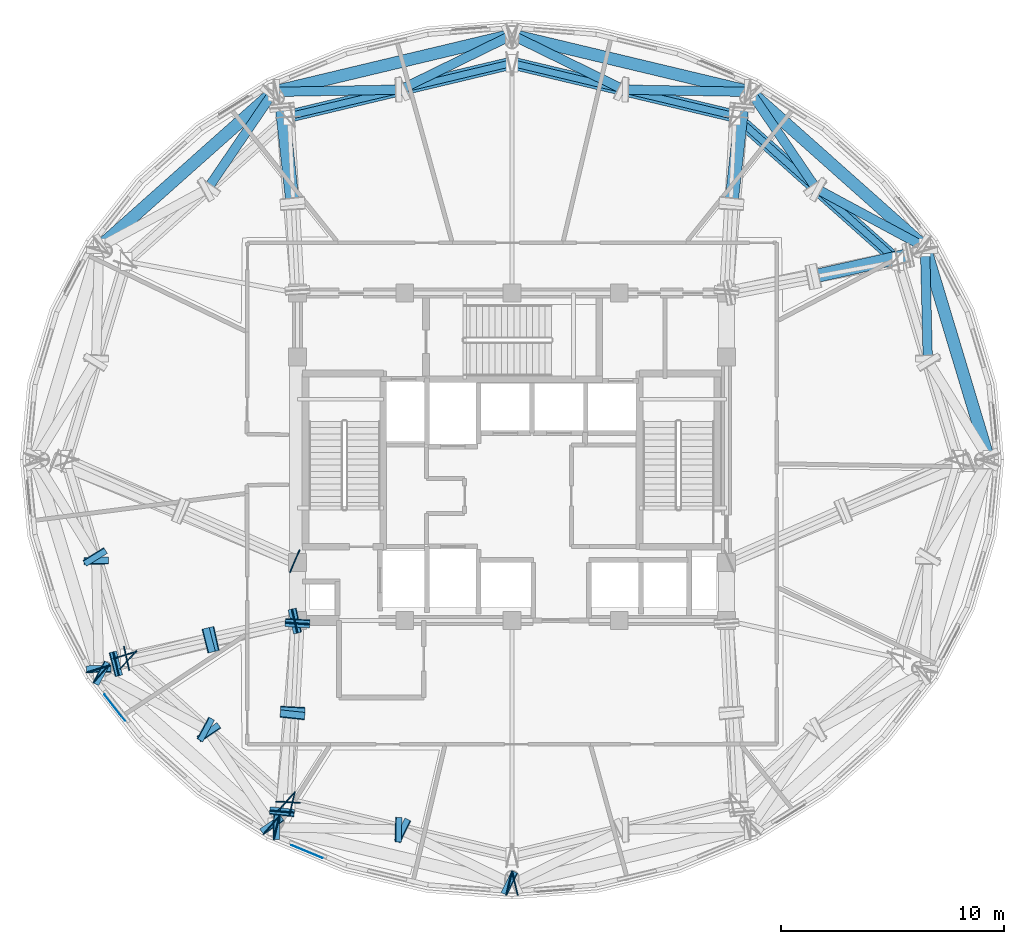
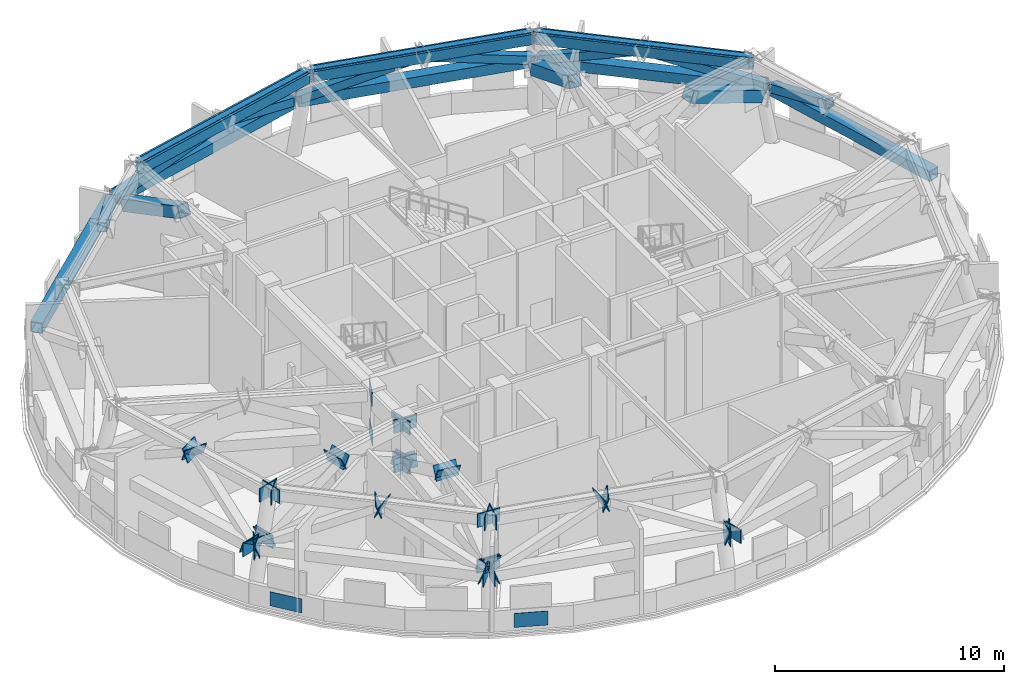
# One storey, part 3 of 13: 41 plates, 19 members, 3 beams.
"""IFC4 building model written with IfcOpenShell, lengths in metres."""

from ifc_helpers import new_model, si_unit, direction, frame, origin, origin_2d, place, context, subcontext, project, spatial, polyline, rectangle, hollow_rectangle, i_section, outline, extrude, material, layer, layer_set, material_profile, profile_set, type_object, element, save


model = new_model("IFC4")

# Units and contexts
model_context = context("Model", 3, precision=1e-05, world=origin(), true_north=direction((0.0, 1.0)))
body_context = subcontext(model_context, "Body", "Model", "MODEL_VIEW")
ifc_project = project(units=[si_unit("LENGTHUNIT", "METRE"), si_unit("AREAUNIT", "SQUARE_METRE"), si_unit("VOLUMEUNIT", "CUBIC_METRE"), si_unit("PLANEANGLEUNIT", "RADIAN"), si_unit("MASSUNIT", "GRAM", prefix="KILO")], contexts=[model_context])

# Site, building, storey
site_placement = place(None, origin())
site = spatial("IfcSite", under=ifc_project, at=site_placement, CompositionType="ELEMENT")
building_placement = place(site_placement, origin())
building = spatial("IfcBuilding", under=site, at=building_placement, Name="Vantalir Tower", CompositionType="ELEMENT")
storey_placement = place(building_placement, frame((0.0, 0.0, 253.64990234375)))
storey = spatial("IfcBuildingStorey", under=building, at=storey_placement, Name="L64", CompositionType="ELEMENT", Elevation=253.64990234375)

# Beams
ifc_material_1 = material(Name="Steel S460", Category="steel")
ifc_material_profile_1 = material_profile(ifc_material_1, i_section(OverallWidth=0.306884765625, OverallDepth=0.6201171875, WebThickness=0.01416015625, FlangeThickness=0.023681640625, at=origin_2d()), Name="Steel S460")
ifc_profile_set_1 = profile_set([ifc_material_profile_1], Name="Steel S460")
beam_type = type_object("IfcBeamType", Name="BM-RG-610x305", PredefinedType="USERDEFINED", material=ifc_profile_set_1)
beam_placement = place(storey_placement, frame((48.777099609375, 33.876953125, 4.91015625), z_axis=(-0.74703437384, 0.664785412221, 0.0), x_axis=(-0.664785412221, -0.74703437384, 0.0)))
element("IfcBeam", 1, at=beam_placement, inside=storey, type_object=beam_type, Name="L64 Circumferential Ring Girder 02", ObjectType="GIRDER", PredefinedType="USERDEFINED", context=body_context, shape_type="SweptSolid", body=[
    extrude(i_section(OverallWidth=0.306884765625, OverallDepth=0.6201171875, WebThickness=0.01416015625, FlangeThickness=0.023681640625, at=origin_2d()), origin(), (0.0, 0.0, 1.0), 9.774658203125),
])
for number, where, z_axis, x_axis, name in (
    (2, (41.47509765625, 40.375, 4.91015625), (-0.972720830492, 0.231978848018, 0.0), (-0.231978848018, -0.972720830492, 0.0), "L64 Circumferential Ring Girder 03"),
    (3, (31.5, 42.75390625, 4.91015625), (-0.972720830492, -0.231978848018, 0.0), (0.231978848018, -0.972720830492, 0.0), "L64 Circumferential Ring Girder 04"),
):
    element("IfcBeam", number, at=place(storey_placement, frame(where, z_axis=z_axis, x_axis=x_axis)), inside=storey, type_object=beam_type, Name=name, ObjectType="GIRDER", PredefinedType="USERDEFINED", context=body_context, shape_type="SweptSolid", body=[
        extrude(i_section(OverallWidth=0.306884765625, OverallDepth=0.6201171875, WebThickness=0.01416015625, FlangeThickness=0.023681640625, at=origin_2d()), origin(), (0.0, 0.0, 1.0), 10.2548828125),
    ])

# Members
ifc_material_profile_2 = material_profile(ifc_material_1, hollow_rectangle(XDim=0.419921875, YDim=0.419921875, WallThickness=0.030029296875, at=origin_2d()), Name="Steel S460")
ifc_profile_set_2 = profile_set([ifc_material_profile_2], Name="Steel S460")
member_type_1 = type_object("IfcMemberType", Name="MEM-BT-420x30", PredefinedType="BRACE", material=ifc_profile_set_2)
member_1_placement = place(storey_placement, frame((49.992919921875, 34.363037109375, 2.877197265625), z_axis=(0.022667120957, -0.923451014536, 0.383046244441), x_axis=(0.999698880551, 0.024538708702, 0.0)))
element("IfcMember", 4, at=member_1_placement, inside=storey, type_object=member_type_1, Name="L64 Belt Truss Web Diagonal 01B", PredefinedType="BRACE", context=body_context, shape_type="SweptSolid", body=[
    extrude(hollow_rectangle(XDim=0.419921875, YDim=0.419921875, WallThickness=0.030029296875, at=origin_2d()), origin(), (0.0, 0.0, 1.0), 5.213134765625),
])
member_2_placement = place(storey_placement, frame((49.866943359375, 34.569091796875, 2.873046875), z_axis=(-0.82272106923, 0.443792525431, 0.355215760654), x_axis=(-0.474753915067, -0.880118582992, 0.0)))
element("IfcMember", 5, at=member_2_placement, inside=storey, type_object=member_type_1, Name="L64 Belt Truss Web Diagonal 02A", PredefinedType="BRACE", context=body_context, shape_type="SweptSolid", body=[
    extrude(hollow_rectangle(XDim=0.419921875, YDim=0.419921875, WallThickness=0.030029296875, at=origin_2d()), origin(), (0.0, 0.0, 1.0), 5.64208984375),
])
member_3_placement = place(storey_placement, frame((42.2529296875, 41.343017578125, 2.8759765625), z_axis=(0.522643114699, -0.767209215114, 0.37179859454), x_axis=(0.826454943854, 0.563002864806, 0.0)))
element("IfcMember", 6, at=member_3_placement, inside=storey, type_object=member_type_1, Name="L64 Belt Truss Web Diagonal 02B", PredefinedType="BRACE", context=body_context, shape_type="SweptSolid", body=[
    extrude(hollow_rectangle(XDim=0.419921875, YDim=0.419921875, WallThickness=0.030029296875, at=origin_2d()), origin(), (0.0, 0.0, 1.0), 5.376708984375),
])
member_4_placement = place(storey_placement, frame((42.033935546875, 41.4609375, 2.8720703125), z_axis=(-0.937966957145, 0.017447019826, 0.346285415234), x_axis=(-0.018597672553, -0.999827048332, 0.0)))
element("IfcMember", 7, at=member_4_placement, inside=storey, type_object=member_type_1, Name="L64 Belt Truss Web Diagonal 03A", PredefinedType="BRACE", context=body_context, shape_type="SweptSolid", body=[
    extrude(hollow_rectangle(XDim=0.419921875, YDim=0.419921875, WallThickness=0.030029296875, at=origin_2d()), origin(), (0.0, 0.0, 1.0), 5.793212890625),
])
for number, where, z_axis, x_axis, name in (
    (8, (31.6259765625, 43.94189453125, 2.873046875), (0.840233678972, -0.410831656274, 0.353871042788), (0.439253922262, 0.898362951027, 0.0), "L64 Belt Truss Web Diagonal 03B"),
    (9, (31.3740234375, 43.94189453125, 2.873046875), (-0.840233678972, -0.410831656274, 0.353871042788), (0.439253922262, -0.898362951027, 0.0), "L64 Belt Truss Web Diagonal 04A"),
):
    element("IfcMember", number, at=place(storey_placement, frame(where, z_axis=z_axis, x_axis=x_axis)), inside=storey, type_object=member_type_1, Name=name, PredefinedType="BRACE", context=body_context, shape_type="SweptSolid", body=[
        extrude(hollow_rectangle(XDim=0.419921875, YDim=0.419921875, WallThickness=0.030029296875, at=origin_2d()), origin(), (0.0, 0.0, 1.0), 5.666259765625),
    ])
member_5_placement = place(storey_placement, frame((20.966064453125, 41.4609375, 2.8720703125), z_axis=(0.937966957145, 0.017447019826, 0.346285415234), x_axis=(-0.018597672553, 0.999827048332, 0.0)))
element("IfcMember", 10, at=member_5_placement, inside=storey, type_object=member_type_1, Name="L64 Belt Truss Web Diagonal 04B", PredefinedType="BRACE", context=body_context, shape_type="SweptSolid", body=[
    extrude(hollow_rectangle(XDim=0.419921875, YDim=0.419921875, WallThickness=0.030029296875, at=origin_2d()), origin(), (0.0, 0.0, 1.0), 5.793212890625),
])
member_6_placement = place(storey_placement, frame((20.7470703125, 41.343017578125, 2.8759765625), z_axis=(-0.522643114699, -0.767209215114, 0.37179859454), x_axis=(0.826454943854, -0.563002864806, 0.0)))
element("IfcMember", 11, at=member_6_placement, inside=storey, type_object=member_type_1, Name="L64 Belt Truss Web Diagonal 05A", PredefinedType="BRACE", context=body_context, shape_type="SweptSolid", body=[
    extrude(hollow_rectangle(XDim=0.419921875, YDim=0.419921875, WallThickness=0.030029296875, at=origin_2d()), origin(), (0.0, 0.0, 1.0), 5.376708984375),
])
ifc_material_profile_3 = material_profile(ifc_material_1, hollow_rectangle(XDim=0.550048828125, YDim=0.550048828125, WallThickness=0.035888671875, at=origin_2d()), Name="Steel S460")
ifc_profile_set_3 = profile_set([ifc_material_profile_3], Name="Steel S460")
member_type_2 = type_object("IfcMemberType", Name="MEM-CH-550x36", PredefinedType="CHORD", material=ifc_profile_set_3)
member_7_placement = place(storey_placement, frame((52.806884765625, 25.14404296875, 2.820068359375), z_axis=(-0.288278839396, 0.957546505793, 0.0), x_axis=(-0.957546505793, -0.288278839396, 0.0)))
element("IfcMember", 12, at=member_7_placement, inside=storey, type_object=member_type_2, Name="L64 Belt Truss Bottom Chord 01", PredefinedType="CHORD", context=body_context, shape_type="SweptSolid", body=[
    extrude(hollow_rectangle(XDim=0.550048828125, YDim=0.550048828125, WallThickness=0.035888671875, at=origin_2d()), origin(), (0.0, 0.0, 1.0), 9.622314453125),
])
member_8_placement = place(storey_placement, frame((49.8779296875, 34.60205078125, 2.820068359375), z_axis=(-0.746995606785, 0.664828973078, 0.0), x_axis=(-0.664828973078, -0.746995606785, 0.0)))
element("IfcMember", 13, at=member_8_placement, inside=storey, type_object=member_type_2, Name="L64 Belt Truss Bottom Chord 02", PredefinedType="CHORD", context=body_context, shape_type="SweptSolid", body=[
    extrude(hollow_rectangle(XDim=0.550048828125, YDim=0.550048828125, WallThickness=0.035888671875, at=origin_2d()), origin(), (0.0, 0.0, 1.0), 10.161865234375),
])
member_9_placement = place(storey_placement, frame((48.6650390625, 33.97705078125, 4.920166015625), z_axis=(-0.747085077711, 0.664728430761, 0.0), x_axis=(-0.664728430761, -0.747085077711, 0.0)))
element("IfcMember", 14, at=member_9_placement, inside=storey, type_object=member_type_2, Name="L64 Belt Truss Top Chord 02", PredefinedType="CHORD", context=body_context, shape_type="SweptSolid", body=[
    extrude(hollow_rectangle(XDim=0.550048828125, YDim=0.550048828125, WallThickness=0.035888671875, at=origin_2d()), origin(), (0.0, 0.0, 1.0), 9.474365234375),
])
member_10_placement = place(storey_placement, frame((42.029052734375, 41.492919921875, 2.820068359375), z_axis=(-0.972723450256, 0.231967862694, 0.0), x_axis=(-0.231967862694, -0.972723450256, 0.0)))
element("IfcMember", 15, at=member_10_placement, inside=storey, type_object=member_type_2, Name="L64 Belt Truss Bottom Chord 03", PredefinedType="CHORD", context=body_context, shape_type="SweptSolid", body=[
    extrude(hollow_rectangle(XDim=0.550048828125, YDim=0.550048828125, WallThickness=0.035888671875, at=origin_2d()), origin(), (0.0, 0.0, 1.0), 10.67431640625),
])
member_11_placement = place(storey_placement, frame((41.3291015625, 40.409912109375, 4.920166015625), z_axis=(-0.972725105631, 0.231960921009, 0.0), x_axis=(-0.231960921009, -0.972725105631, 0.0)))
element("IfcMember", 16, at=member_11_placement, inside=storey, type_object=member_type_2, Name="L64 Belt Truss Top Chord 03", PredefinedType="CHORD", context=body_context, shape_type="SweptSolid", body=[
    extrude(hollow_rectangle(XDim=0.550048828125, YDim=0.550048828125, WallThickness=0.035888671875, at=origin_2d()), origin(), (0.0, 0.0, 1.0), 9.95458984375),
])
member_12_placement = place(storey_placement, frame((31.35400390625, 43.968994140625, 2.820068359375), z_axis=(-0.972723450256, -0.231967862694, 0.0), x_axis=(0.231967862694, -0.972723450256, 0.0)))
element("IfcMember", 17, at=member_12_placement, inside=storey, type_object=member_type_2, Name="L64 Belt Truss Bottom Chord 04", PredefinedType="CHORD", context=body_context, shape_type="SweptSolid", body=[
    extrude(hollow_rectangle(XDim=0.550048828125, YDim=0.550048828125, WallThickness=0.035888671875, at=origin_2d()), origin(), (0.0, 0.0, 1.0), 10.67431640625),
])
member_13_placement = place(storey_placement, frame((31.35400390625, 42.718994140625, 4.920166015625), z_axis=(-0.972725105631, -0.231960921009, 0.0), x_axis=(0.231960921009, -0.972725105631, 0.0)))
element("IfcMember", 18, at=member_13_placement, inside=storey, type_object=member_type_2, Name="L64 Belt Truss Top Chord 04", PredefinedType="CHORD", context=body_context, shape_type="SweptSolid", body=[
    extrude(hollow_rectangle(XDim=0.550048828125, YDim=0.550048828125, WallThickness=0.035888671875, at=origin_2d()), origin(), (0.0, 0.0, 1.0), 9.95458984375),
])
member_14_placement = place(storey_placement, frame((20.712890625, 41.35791015625, 2.820068359375), z_axis=(-0.746995606785, -0.664828973078, 0.0), x_axis=(0.664828973078, -0.746995606785, 0.0)))
element("IfcMember", 19, at=member_14_placement, inside=storey, type_object=member_type_2, Name="L64 Belt Truss Bottom Chord 05", PredefinedType="CHORD", context=body_context, shape_type="SweptSolid", body=[
    extrude(hollow_rectangle(XDim=0.550048828125, YDim=0.550048828125, WallThickness=0.035888671875, at=origin_2d()), origin(), (0.0, 0.0, 1.0), 10.161865234375),
])
ifc_material_profile_4 = material_profile(ifc_material_1, hollow_rectangle(XDim=0.60009765625, YDim=0.60009765625, WallThickness=0.0400390625, at=origin_2d()), Name="Steel S460")
ifc_profile_set_4 = profile_set([ifc_material_profile_4], Name="Steel S460")
member_type_3 = type_object("IfcMemberType", Name="MEM-OR-600x40", PredefinedType="BRACE", material=ifc_profile_set_4)
member_15_placement = place(storey_placement, frame((45.097900390625, 33.215087890625, 4.869140625), z_axis=(0.883072487989, 0.199228175652, -0.424842459017), x_axis=(-0.22007662884, 0.975482586948, 0.0)))
element("IfcMember", 20, at=member_15_placement, inside=storey, type_object=member_type_3, Name="L64 Outrigger Truss Diagonal 02B", PredefinedType="BRACE", context=body_context, shape_type="SweptSolid", body=[
    extrude(hollow_rectangle(XDim=0.60009765625, YDim=0.60009765625, WallThickness=0.0400390625, at=origin_2d()), origin(), (0.0, 0.0, 1.0), 4.672607421875),
])
for number, where, z_axis, x_axis, name in (
    (21, (41.3310546875, 36.569091796875, 4.869140625), (0.099570631006, 0.899175203579, -0.42610989511), (-0.993924639563, 0.110062758781, 0.0), "L64 Outrigger Truss Diagonal 03B"),
    (22, (21.6689453125, 36.569091796875, 4.869140625), (-0.099570631006, 0.899175203579, -0.42610989511), (-0.993924639563, -0.110062758781, 0.0), "L64 Outrigger Truss Diagonal 04B"),
):
    element("IfcMember", number, at=place(storey_placement, frame(where, z_axis=z_axis, x_axis=x_axis)), inside=storey, type_object=member_type_3, Name=name, PredefinedType="BRACE", context=body_context, shape_type="SweptSolid", body=[
        extrude(hollow_rectangle(XDim=0.60009765625, YDim=0.60009765625, WallThickness=0.0400390625, at=origin_2d()), origin(), (0.0, 0.0, 1.0), 4.65869140625),
    ])

# Plates
ifc_layer_1 = layer(ifc_material_1, 0.044921875)
ifc_layer_set_1 = layer_set([ifc_layer_1], Name="Steel S460")
plate_type_1 = type_object("IfcPlateType", Name="PLT-BN-01", PredefinedType="USERDEFINED", material=ifc_layer_set_1)
for number, where, z_axis, x_axis, name in (
    (23, (12.970947265625, 15.626953125, 2.4599609375), (0.0, 0.0, 1.0), (0.288212980863, -0.957566330685, 0.0), "Node Cap Plate MEM-L64-BTCB-07 End"),
    (24, (14.18408203125, 16.251953125, 4.56005859375), (0.0, 0.0, 1.0), (0.288329967509, -0.957531111681, 0.0), "Node Cap Plate MEM-L64-BTCT-07 End"),
):
    element("IfcPlate", number, at=place(storey_placement, frame(where, z_axis=z_axis, x_axis=x_axis)), inside=storey, type_object=plate_type_1, Name=name, ObjectType="FLANGE_PLATE", PredefinedType="USERDEFINED", context=body_context, shape_type="SweptSolid", body=[
        extrude(rectangle(XDim=0.044921875, YDim=1.10009765625, at=origin_2d()), origin(), (0.0, 0.0, 1.0), 0.719970703125),
    ])
plate_1_placement = place(storey_placement, frame((12.448486328125, 20.223876953125, 4.55517578125), z_axis=(0.48690492563, -0.789547733527, 0.373547814716), x_axis=(0.851162606387, 0.524902102766, 0.0)))
element("IfcPlate", 25, at=plate_1_placement, inside=storey, type_object=plate_type_1, Name="Node Cap Plate MEM-L64-BTDG-07A End", ObjectType="FLANGE_PLATE", PredefinedType="USERDEFINED", context=body_context, shape_type="SweptSolid", body=[
    extrude(outline(polyline([(0.0, 0.0), (1.1000005050137833, 0.0), (1.100094788681324, 0.7200958195337983), (9.428366754057893e-05, 0.7200958195337984), (0.0, 0.0)])), origin(), (0.0, 0.0, -1.0), 0.044921875),
])
plate_2_placement = place(storey_placement, frame((13.552978515625, 15.795166015625, 2.548095703125), z_axis=(-0.022551458451, 0.923482223556, 0.382977825074), x_axis=(-0.999701974193, -0.024412349212, -9.58284e-07)))
element("IfcPlate", 26, at=plate_2_placement, inside=storey, type_object=plate_type_1, Name="Node Cap Plate MEM-L64-BTDG-07B Start", ObjectType="FLANGE_PLATE", PredefinedType="USERDEFINED", context=body_context, shape_type="SweptSolid", body=[
    extrude(outline(polyline([(0.0, 0.0), (1.1001813359746093, 1.734723475976807e-18), (1.1000756906178548, 0.7199293003795664), (0.00013842250803860088, 0.7199270180300916), (0.0, 0.0)])), origin(), (0.0, 0.0, -1.0), 0.044921875),
])
plate_3_placement = place(storey_placement, frame((13.434814453125, 20.635986328125, 4.5556640625), z_axis=(-0.022448763985, 0.923474496541, 0.383002489854), x_axis=(-0.99970505159, -0.024285970398, -3.8298633e-05)))
element("IfcPlate", 27, at=plate_3_placement, inside=storey, type_object=plate_type_1, Name="Node Cap Plate MEM-L64-BTDG-07B End", ObjectType="FLANGE_PLATE", PredefinedType="USERDEFINED", context=body_context, shape_type="SweptSolid", body=[
    extrude(outline(polyline([(0.0, 0.0), (1.0999313288905805, 0.0), (1.100015983768719, 0.7202460300453455), (-0.00016534292996426243, 0.7201548132083543), (0.0, 0.0)])), origin(), (0.0, 0.0, -1.0), 0.044921875),
])
for number, where, z_axis, x_axis, name in (
    (28, (13.111083984375, 15.407958984375, 2.4599609375), (0.0, 0.0, 1.0), (0.746963185996, -0.664865398985, 0.0), "Node Cap Plate MEM-L64-BTCB-08 Start"),
    (29, (20.72412109375, 8.632080078125, 2.4599609375), (0.0, 0.0, 1.0), (0.746963185996, -0.664865398985, 0.0), "Node Cap Plate MEM-L64-BTCB-08 End"),
    (30, (14.323974609375, 16.032958984375, 4.56005859375), (0.0, 0.0, 1.0), (0.747032806442, -0.664787173538, 0.0), "Node Cap Plate MEM-L64-BTCT-08 Start"),
    (31, (21.424072265625, 9.715087890625, 4.56005859375), (0.0, 0.0, 1.0), (0.747032806442, -0.664787173538, 0.0), "Node Cap Plate MEM-L64-BTCT-08 End"),
):
    element("IfcPlate", number, at=place(storey_placement, frame(where, z_axis=z_axis, x_axis=x_axis)), inside=storey, type_object=plate_type_1, Name=name, ObjectType="FLANGE_PLATE", PredefinedType="USERDEFINED", context=body_context, shape_type="SweptSolid", body=[
        extrude(rectangle(XDim=0.044921875, YDim=1.10009765625, at=origin_2d()), origin(), (0.0, 0.0, 1.0), 0.719970703125),
    ])
for number, where, z_axis, x_axis, name in (
    (32, (12.991455078125, 14.883056640625, 2.539794921875), (0.82268899316, -0.443760372304, 0.355330202074), (0.474735754556, 0.880128378727, 1.7496643e-05), "Node Cap Plate MEM-L64-BTDG-08A Start"),
    (33, (17.6572265625, 12.365966796875, 4.55419921875), (0.82268899316, -0.443760372304, 0.355330202074), (0.474735754556, 0.880128378727, 1.7496643e-05), "Node Cap Plate MEM-L64-BTDG-08A End"),
):
    element("IfcPlate", number, at=place(storey_placement, frame(where, z_axis=z_axis, x_axis=x_axis)), inside=storey, type_object=plate_type_1, Name=name, ObjectType="FLANGE_PLATE", PredefinedType="USERDEFINED", context=body_context, shape_type="SweptSolid", body=[
        extrude(outline(polyline([(0.0, 0.0), (1.1001096018127938, 2.7755575615628914e-17), (1.1000523897219316, 0.7198062638666396), (0.00015766300160021873, 0.7198474439343403), (0.0, 0.0)])), origin(), (0.0, 0.0, -1.0), 0.044921875),
    ])
plate_4_placement = place(storey_placement, frame((21.12158203125, 9.08349609375, 2.544677734375), z_axis=(-0.52265190839, 0.767187901792, 0.371830211252), x_axis=(-0.826443258449, -0.563020017907, 0.0)))
element("IfcPlate", 34, at=plate_4_placement, inside=storey, type_object=plate_type_1, Name="Node Cap Plate MEM-L64-BTDG-08B Start", ObjectType="FLANGE_PLATE", PredefinedType="USERDEFINED", context=body_context, shape_type="SweptSolid", body=[
    extrude(outline(polyline([(0.0, 0.0), (1.1001114452867646, -5.551115123125783e-17), (1.0999537798820098, 0.7200867033345585), (-0.0001576654047546617, 0.7200867033345585), (0.0, 0.0)])), origin(), (0.0, 0.0, -1.0), 0.044921875),
])
plate_5_placement = place(storey_placement, frame((18.296630859375, 13.230712890625, 4.554931640625), z_axis=(-0.522591413745, 0.76725031531, 0.371786454751), x_axis=(-0.826487752501, -0.562954699744, 3.1652208e-05)))
element("IfcPlate", 35, at=plate_5_placement, inside=storey, type_object=plate_type_1, Name="Node Cap Plate MEM-L64-BTDG-08B End", ObjectType="FLANGE_PLATE", PredefinedType="USERDEFINED", context=body_context, shape_type="SweptSolid", body=[
    extrude(outline(polyline([(0.0, 0.0), (1.1001114412999358, -2.7755575615628914e-17), (1.1001555522426434, 0.7200355982336063), (0.0001815510549498318, 0.7201106129821966), (0.0, 0.0)])), origin(), (0.0, 0.0, -1.0), 0.044921875),
])
for number, where, z_axis, x_axis, name in (
    (36, (20.9560546875, 8.510986328125, 2.4599609375), (0.0, 0.0, 1.0), (0.972715173414, -0.232002567679, 0.0), "Node Cap Plate MEM-L64-BTCB-09 Start"),
    (37, (31.368896484375, 6.027099609375, 2.4599609375), (0.0, 0.0, 1.0), (0.972715173414, -0.232002567679, 0.0), "Node Cap Plate MEM-L64-BTCB-09 End"),
    (38, (21.656005859375, 9.593994140625, 4.56005859375), (0.0, 0.0, 1.0), (0.972719222475, -0.231985590561, 0.0), "Node Cap Plate MEM-L64-BTCT-09 Start"),
):
    element("IfcPlate", number, at=place(storey_placement, frame(where, z_axis=z_axis, x_axis=x_axis)), inside=storey, type_object=plate_type_1, Name=name, ObjectType="FLANGE_PLATE", PredefinedType="USERDEFINED", context=body_context, shape_type="SweptSolid", body=[
        extrude(rectangle(XDim=0.044921875, YDim=1.10009765625, at=origin_2d()), origin(), (0.0, 0.0, 1.0), 0.719970703125),
    ])
plate_6_placement = place(storey_placement, frame((21.087646484375, 7.987060546875, 2.537109375), z_axis=(0.937929828891, -0.017592690464, 0.34637859824), x_axis=(0.018740328924, 0.999824383966, 3.6051316e-05)))
element("IfcPlate", 39, at=plate_6_placement, inside=storey, type_object=plate_type_1, Name="Node Cap Plate MEM-L64-BTDG-09A Start", ObjectType="FLANGE_PLATE", PredefinedType="USERDEFINED", context=body_context, shape_type="SweptSolid", body=[
    extrude(outline(polyline([(0.0, 0.0), (1.1000446868638891, 0.0), (1.1000355417115588, 0.720073757146744), (-1.372042794637877e-05, 0.7201583075380634), (0.0, 0.0)])), origin(), (0.0, 0.0, -1.0), 0.044921875),
])
plate_7_placement = place(storey_placement, frame((26.549072265625, 7.884765625, 4.5537109375), z_axis=(0.937946171599, -0.017488896429, 0.346339598783), x_axis=(0.018642708459, 0.999826209609, 0.0)))
element("IfcPlate", 40, at=plate_7_placement, inside=storey, type_object=plate_type_1, Name="Node Cap Plate MEM-L64-BTDG-09A End", ObjectType="FLANGE_PLATE", PredefinedType="USERDEFINED", context=body_context, shape_type="SweptSolid", body=[
    extrude(outline(polyline([(0.0, 0.0), (1.100044692822163, 8.673617379884035e-19), (1.1000355357533342, 0.7198447307165646), (-9.157068828901868e-06, 0.7198447307165646), (0.0, 0.0)])), origin(), (0.0, 0.0, -1.0), 0.044921875),
])
plate_8_placement = place(storey_placement, frame((31.494384765625, 6.61083984375, 2.539306640625), z_axis=(-0.84018489593, 0.410957746848, 0.35384045975), x_axis=(-0.439372086764, -0.898305164342, 3.2996022e-05)))
element("IfcPlate", 41, at=plate_8_placement, inside=storey, type_object=plate_type_1, Name="Node Cap Plate MEM-L64-BTDG-09B Start", ObjectType="FLANGE_PLATE", PredefinedType="USERDEFINED", context=body_context, shape_type="SweptSolid", body=[
    extrude(outline(polyline([(0.0, 0.0), (1.0998433495602875, 0.0), (1.0998001666988224, 0.7198753168939025), (-0.00015045143733529088, 0.719952921940855), (0.0, 0.0)])), origin(), (0.0, 0.0, -1.0), 0.044921875),
])
plate_9_placement = place(storey_placement, frame((26.70947265625, 8.951416015625, 4.553955078125), z_axis=(-0.84022091893, 0.410924597659, 0.353793417732), x_axis=(-0.439356190958, -0.898312938265, -4.9124081e-05)))
element("IfcPlate", 42, at=plate_9_placement, inside=storey, type_object=plate_type_1, Name="Node Cap Plate MEM-L64-BTDG-09B End", ObjectType="FLANGE_PLATE", PredefinedType="USERDEFINED", context=body_context, shape_type="SweptSolid", body=[
    extrude(outline(polyline([(0.0, 0.0), (1.0999506150522347, -2.7755575615628914e-17), (1.0999686810201026, 0.7202192135718445), (-9.398401926740814e-05, 0.7201036667891759), (0.0, 0.0)])), origin(), (0.0, 0.0, -1.0), 0.044921875),
])
for number, where, z_axis, x_axis, name in (
    (43, (31.631103515625, 6.027099609375, 2.4599609375), (0.0, 0.0, 1.0), (0.972715173414, 0.232002567679, 0.0), "Node Cap Plate MEM-L64-BTCB-10 Start"),
    (44, (21.77490234375, 20.451904296875, 2.4599609375), (0.0, 0.0, 1.0), (-0.922814001807, 0.385245789164, 0.0), "Node Cap Plate MEM-L64-ORCB-05 Start"),
    (45, (21.77587890625, 20.4541015625, 4.56005859375), (0.0, 0.0, 1.0), (-0.915599444234, 0.40209160364, 0.0), "Node Cap Plate MEM-L64-ORCT-05 Start"),
    (46, (21.76904296875, 17.76904296875, 2.4599609375), (0.0, 0.0, 1.0), (-0.972544845323, -0.232715542746, 0.0), "Node Cap Plate MEM-L64-ORCB-06 Start"),
    (47, (13.77490234375, 15.85595703125, 2.4599609375), (0.0, 0.0, 1.0), (-0.972544845323, -0.232715542746, 0.0), "Node Cap Plate MEM-L64-ORCB-06 End"),
    (48, (21.76806640625, 17.77099609375, 4.56005859375), (0.0, 0.0, 1.0), (-0.976118132222, -0.217240401278, 0.0), "Node Cap Plate MEM-L64-ORCT-06 Start"),
    (49, (14.2470703125, 16.096923828125, 4.56005859375), (0.0, 0.0, 1.0), (-0.976118132222, -0.217240401278, 0.0), "Node Cap Plate MEM-L64-ORCT-06 End"),
):
    element("IfcPlate", number, at=place(storey_placement, frame(where, z_axis=z_axis, x_axis=x_axis)), inside=storey, type_object=plate_type_1, Name=name, ObjectType="FLANGE_PLATE", PredefinedType="USERDEFINED", context=body_context, shape_type="SweptSolid", body=[
        extrude(rectangle(XDim=0.044921875, YDim=1.10009765625, at=origin_2d()), origin(), (0.0, 0.0, 1.0), 0.719970703125),
    ])
plate_10_placement = place(storey_placement, frame((21.480224609375, 18.27001953125, 2.5751953125), z_axis=(-0.86353783624, -0.192224543356, 0.466210392755), x_axis=(0.217282942591, -0.976108663448, 0.0)))
element("IfcPlate", 50, at=plate_10_placement, inside=storey, type_object=plate_type_1, Name="Node Cap Plate MEM-L64-ORDG-06A Start", ObjectType="FLANGE_PLATE", PredefinedType="USERDEFINED", context=body_context, shape_type="SweptSolid", body=[
    extrude(outline(polyline([(0.0, 0.0), (1.1000112066998522, 0.0), (1.0999470510812692, 0.7199973987718593), (-6.415561858299492e-05, 0.7199973987718592), (0.0, 0.0)])), origin(), (0.0, 0.0, -1.0), 0.044921875),
])
plate_11_placement = place(storey_placement, frame((17.796142578125, 17.4501953125, 4.56298828125), z_axis=(-0.863654926799, -0.192152420617, 0.466023191125), x_axis=(0.217154240813, -0.976137302689, -4.4666474e-05)))
element("IfcPlate", 51, at=plate_11_placement, inside=storey, type_object=plate_type_1, Name="Node Cap Plate MEM-L64-ORDG-06A End", ObjectType="FLANGE_PLATE", PredefinedType="USERDEFINED", context=body_context, shape_type="SweptSolid", body=[
    extrude(outline(polyline([(0.0, 0.0), (1.099958179868974, 2.7755575615628914e-17), (1.1000596300984784, 0.7199726751581156), (4.843405743107211e-05, 0.7198616128525622), (0.0, 0.0)])), origin(), (0.0, 0.0, -1.0), 0.044921875),
])
plate_12_placement = place(storey_placement, frame((18.217529296875, 16.419677734375, 4.558837890625), z_axis=(0.878264923107, 0.223161555522, 0.422906189333), x_axis=(-0.246244649296, 0.969207702209, -5.1691061e-05)))
element("IfcPlate", 52, at=plate_12_placement, inside=storey, type_object=plate_type_1, Name="Node Cap Plate MEM-L64-ORDG-06B Start", ObjectType="FLANGE_PLATE", PredefinedType="USERDEFINED", context=body_context, shape_type="SweptSolid", body=[
    extrude(outline(polyline([(0.0, 0.0), (1.1000037479530478, 1.3877787807814457e-17), (1.0997732035691836, 0.7199511155197004), (-5.403973227423952e-05, 0.7198256300560034), (0.0, 0.0)])), origin(), (0.0, 0.0, -1.0), 0.044921875),
])
plate_13_placement = place(storey_placement, frame((14.065185546875, 15.364013671875, 2.560546875), z_axis=(0.878382276302, 0.223266390358, 0.422607022676), x_axis=(-0.246345780659, 0.969182003729, 0.0)))
element("IfcPlate", 53, at=plate_13_placement, inside=storey, type_object=plate_type_1, Name="Node Cap Plate MEM-L64-ORDG-06B End", ObjectType="FLANGE_PLATE", PredefinedType="USERDEFINED", context=body_context, shape_type="SweptSolid", body=[
    extrude(outline(polyline([(0.0, 0.0), (1.1000638737340247, -1.3877787807814457e-17), (1.1000753063247568, 0.7200469049851087), (1.1432590732135539e-05, 0.7200469049851087), (0.0, 0.0)])), origin(), (0.0, 0.0, -1.0), 0.044921875),
])
for number, where, z_axis, x_axis, name in (
    (54, (21.888916015625, 17.6650390625, 2.4599609375), (0.0, 0.0, 1.0), (-0.081347077707, -0.996685834628, 0.0), "Node Cap Plate MEM-L64-ORCB-07 Start"),
    (55, (21.201904296875, 9.241943359375, 2.4599609375), (0.0, 0.0, 1.0), (-0.081347077707, -0.996685834628, 0.0), "Node Cap Plate MEM-L64-ORCB-07 End"),
    (56, (21.89306640625, 17.6650390625, 4.56005859375), (0.0, 0.0, 1.0), (-0.052789114547, -0.998605682632, 0.0), "Node Cap Plate MEM-L64-ORCT-07 Start"),
    (57, (21.469970703125, 9.6640625, 4.56005859375), (0.0, 0.0, 1.0), (-0.052789114547, -0.998605682632, 0.0), "Node Cap Plate MEM-L64-ORCT-07 End"),
):
    element("IfcPlate", number, at=place(storey_placement, frame(where, z_axis=z_axis, x_axis=x_axis)), inside=storey, type_object=plate_type_1, Name=name, ObjectType="FLANGE_PLATE", PredefinedType="USERDEFINED", context=body_context, shape_type="SweptSolid", body=[
        extrude(rectangle(XDim=0.044921875, YDim=1.10009765625, at=origin_2d()), origin(), (0.0, 0.0, 1.0), 0.719970703125),
    ])
plate_14_placement = place(storey_placement, frame((21.334716796875, 17.525634765625, 2.570556640625), z_axis=(-0.047013446522, -0.890682116328, 0.452189234171), x_axis=(0.998610978022, -0.052688829768, 4.2339371e-05)))
element("IfcPlate", 58, at=plate_14_placement, inside=storey, type_object=plate_type_1, Name="Node Cap Plate MEM-L64-ORDG-07A Start", ObjectType="FLANGE_PLATE", PredefinedType="USERDEFINED", context=body_context, shape_type="SweptSolid", body=[
    extrude(outline(polyline([(0.0, 0.0), (1.0999116315365587, 0.0), (1.1001274273286852, 0.7198423725997399), (-4.086920000931295e-05, 0.7199468099809032), (0.0, 0.0)])), origin(), (0.0, 0.0, -1.0), 0.044921875),
])
plate_15_placement = place(storey_placement, frame((21.12744140625, 13.604736328125, 4.5615234375), z_axis=(-0.047113568575, -0.890604811002, 0.452331053849), x_axis=(0.998603690874, -0.052826778935, 0.0)))
element("IfcPlate", 59, at=plate_15_placement, inside=storey, type_object=plate_type_1, Name="Node Cap Plate MEM-L64-ORDG-07A End", ObjectType="FLANGE_PLATE", PredefinedType="USERDEFINED", context=body_context, shape_type="SweptSolid", body=[
    extrude(outline(polyline([(0.0, 0.0), (1.0999245065012344, 0.0), (1.1000552663915657, 0.7199526433280428), (0.00013075989033148674, 0.7199526433280428), (0.0, 0.0)])), origin(), (0.0, 0.0, -1.0), 0.044921875),
])
plate_16_placement = place(storey_placement, frame((22.236083984375, 13.679443359375, 4.558349609375), z_axis=(0.097464679781, 0.903919323145, 0.41644986906), x_axis=(-0.994236915154, 0.107205207544, -4.504933e-06)))
element("IfcPlate", 60, at=plate_16_placement, inside=storey, type_object=plate_type_1, Name="Node Cap Plate MEM-L64-ORDG-07B Start", ObjectType="FLANGE_PLATE", PredefinedType="USERDEFINED", context=body_context, shape_type="SweptSolid", body=[
    extrude(outline(polyline([(0.0, 0.0), (1.0998455220261216, 6.938893903907228e-18), (1.0999259997270991, 0.7199468967009646), (-0.00016225592088634763, 0.7199359959034204), (0.0, 0.0)])), origin(), (0.0, 0.0, -1.0), 0.044921875),
])
plate_17_placement = place(storey_placement, frame((21.768798828125, 9.340576171875, 2.55859375), z_axis=(0.097348101065, 0.903874596416, 0.41657419648), x_axis=(-0.994248180356, 0.107100672798, -4.1781408e-05)))
element("IfcPlate", 61, at=plate_17_placement, inside=storey, type_object=plate_type_1, Name="Node Cap Plate MEM-L64-ORDG-07B End", ObjectType="FLANGE_PLATE", PredefinedType="USERDEFINED", context=body_context, shape_type="SweptSolid", body=[
    extrude(outline(polyline([(0.0, 0.0), (1.100088250233097, 6.938893903907228e-18), (1.0999069693519612, 0.7200371058329734), (-0.00015513325594089975, 0.7199359891167888), (0.0, 0.0)])), origin(), (0.0, 0.0, -1.0), 0.044921875),
])
ifc_material_2 = material(Name="Champagne-silver PVDF soffit cassette", Category="aluminium")
ifc_layer_2 = layer(ifc_material_2, 0.02001953125)
ifc_layer_set_2 = layer_set([ifc_layer_2], Name="Champagne-silver PVDF soffit cassette")
plate_type_2 = type_object("IfcPlateType", Name="PLT-SC-02", PredefinedType="SHEET", material=ifc_layer_set_2)
for number, where, z_axis, x_axis, name in (
    (62, (13.717041015625, 13.89501953125, 0.175048828125), (0.0, 0.0, 1.0), (0.617406641008, -0.78664416329, 0.0), "L64 PVDF Aluminium Spandrel Cassette R22"),
    (63, (22.322021484375, 7.447998046875, 0.175048828125), (0.0, 0.0, 1.0), (0.923371109364, -0.383908575566, 0.0), "L64 PVDF Aluminium Spandrel Cassette R25"),
):
    element("IfcPlate", number, at=place(storey_placement, frame(where, z_axis=z_axis, x_axis=x_axis)), inside=storey, type_object=plate_type_2, Name=name, PredefinedType="SHEET", context=body_context, shape_type="SweptSolid", body=[
        extrude(rectangle(XDim=1.5, YDim=0.02001953125, at=origin_2d()), origin(), (0.0, 0.0, 1.0), 0.75),
    ])

save(model, "model.ifc")
